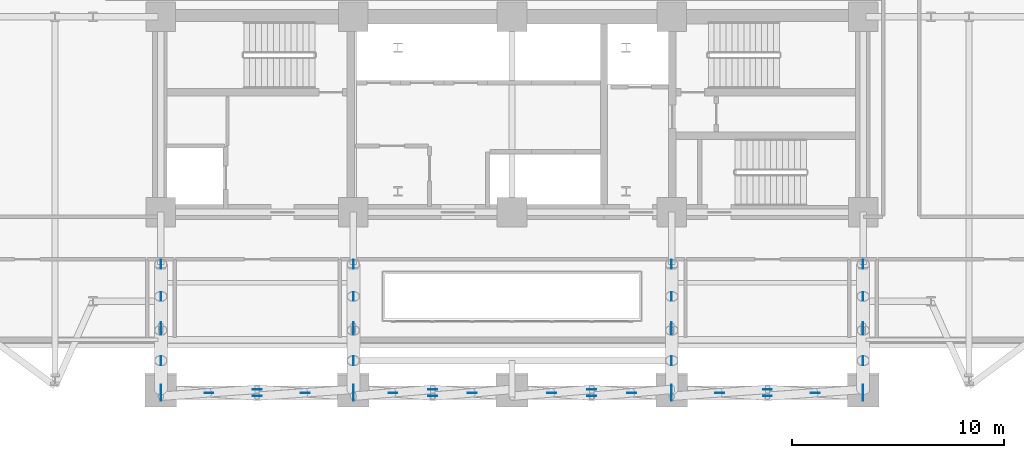
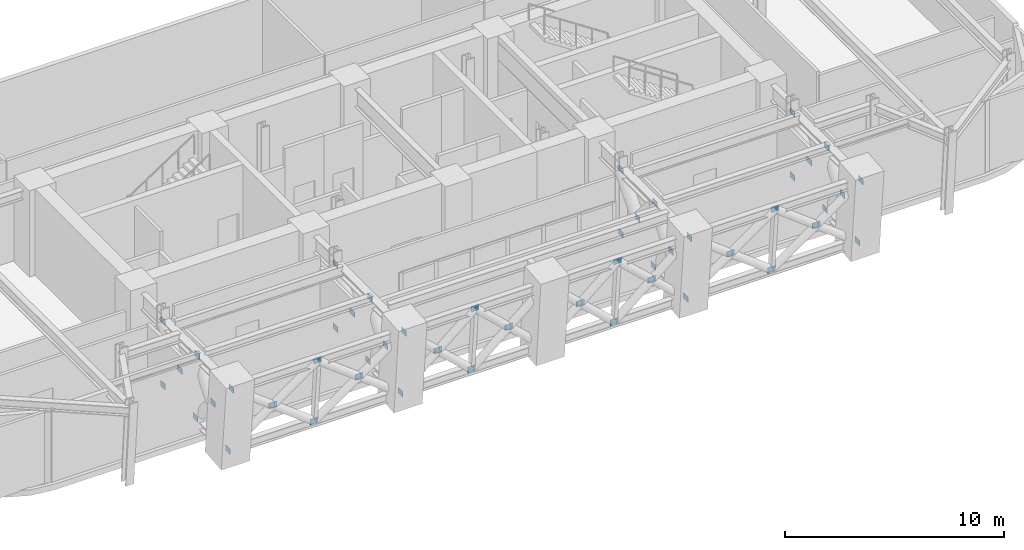
# One storey, part 7 of 12: 48 plates.
"""IFC4 building model written with IfcOpenShell, lengths in metres."""

from ifc_helpers import new_model, si_unit, direction, frame, origin, origin_2d, place, context, subcontext, project, spatial, rectangle, extrude, material, layer, layer_set, type_object, element, save


model = new_model("IFC4")

# Units and contexts
model_context = context("Model", 3, precision=1e-05, world=origin(), true_north=direction((0.0, 1.0)))
body_context = subcontext(model_context, "Body", "Model", "MODEL_VIEW")
ifc_project = project(units=[si_unit("LENGTHUNIT", "METRE"), si_unit("AREAUNIT", "SQUARE_METRE"), si_unit("VOLUMEUNIT", "CUBIC_METRE"), si_unit("PLANEANGLEUNIT", "RADIAN"), si_unit("MASSUNIT", "GRAM", prefix="KILO")], contexts=[model_context])

# Site, building, storey
site_placement = place(None, origin())
site = spatial("IfcSite", under=ifc_project, at=site_placement, CompositionType="ELEMENT")
building_placement = place(site_placement, origin())
building = spatial("IfcBuilding", under=site, at=building_placement, Name="Zarnavel Station Tower", CompositionType="ELEMENT")
storey_placement = place(building_placement, frame((0.0, 0.0, 74.5)))
storey = spatial("IfcBuildingStorey", under=building, at=storey_placement, Name="L20", CompositionType="ELEMENT", Elevation=74.5)

# Plates
ifc_material = material(Name="Steel S460M", Category="steel")
ifc_layer = layer(ifc_material, 0.02490234375)
ifc_layer_set = layer_set([ifc_layer], Name="GP_GUSSET_25")
plate_type = type_object("IfcPlateType", Name="GP_GUSSET_25", PredefinedType="USERDEFINED", material=ifc_layer_set)
for number, where, z_axis, x_axis, name in (
    (1, (12.199951171875, 19.4404296875, 0.25), (0.0, 0.0, 1.0), (1.0, 0.0, 0.0), "L20 Outrigger Gusset Plate 1-1"),
    (2, (12.199951171875, 19.1162109375, 3.830078125), (0.0, 0.0, 1.0), (1.0, 0.0, 0.0), "L20 Outrigger Gusset Plate 1-2"),
    (3, (12.199951171875, 22.395263671875, 0.25), (0.0, 0.0, 1.0), (1.0, 0.0, 0.0), "L20 Outrigger Gusset Plate 1-3"),
    (4, (12.199951171875, 22.23291015625, 3.830078125), (0.0, 0.0, 1.0), (1.0, 0.0, 0.0), "L20 Outrigger Gusset Plate 1-4"),
    (5, (12.199951171875, 25.35009765625, 0.25), (0.0, 0.0, 1.0), (1.0, 0.0, 0.0), "L20 Outrigger Gusset Plate 1-5"),
    (6, (12.199951171875, 25.35009765625, 3.830078125), (0.0, 0.0, 1.0), (1.0, 0.0, 0.0), "L20 Outrigger Gusset Plate 1-6"),
    (7, (12.199951171875, 23.83203125, 2.0400390625), (0.0, 0.0, 1.0), (1.0, 0.0, 0.0), "L20 Outrigger Gusset Plate 1-7"),
    (8, (12.199951171875, 20.796142578125, 2.0400390625), (0.0, 0.0, 1.0), (1.0, 0.0, 0.0), "L20 Outrigger Gusset Plate 1-8"),
    (9, (21.300048828125, 19.4404296875, 0.25), (0.0, 0.0, 1.0), (1.0, 0.0, 0.0), "L20 Outrigger Gusset Plate 2-1"),
    (10, (21.300048828125, 19.1162109375, 3.830078125), (0.0, 0.0, 1.0), (1.0, 0.0, 0.0), "L20 Outrigger Gusset Plate 2-2"),
    (11, (21.300048828125, 22.395263671875, 0.25), (0.0, 0.0, 1.0), (1.0, 0.0, 0.0), "L20 Outrigger Gusset Plate 2-3"),
    (12, (21.300048828125, 22.23291015625, 3.830078125), (0.0, 0.0, 1.0), (1.0, 0.0, 0.0), "L20 Outrigger Gusset Plate 2-4"),
    (13, (21.300048828125, 25.35009765625, 0.25), (0.0, 0.0, 1.0), (1.0, 0.0, 0.0), "L20 Outrigger Gusset Plate 2-5"),
    (14, (21.300048828125, 25.35009765625, 3.830078125), (0.0, 0.0, 1.0), (1.0, 0.0, 0.0), "L20 Outrigger Gusset Plate 2-6"),
    (15, (21.300048828125, 23.83203125, 2.0400390625), (0.0, 0.0, 1.0), (1.0, 0.0, 0.0), "L20 Outrigger Gusset Plate 2-7"),
    (16, (21.300048828125, 20.796142578125, 2.0400390625), (0.0, 0.0, 1.0), (1.0, 0.0, 0.0), "L20 Outrigger Gusset Plate 2-8"),
    (17, (36.35009765625, 19.4404296875, 0.25), (0.0, 0.0, 1.0), (1.0, 0.0, 0.0), "L20 Outrigger Gusset Plate 3-1"),
    (18, (36.35009765625, 19.1162109375, 3.830078125), (0.0, 0.0, 1.0), (1.0, 0.0, 0.0), "L20 Outrigger Gusset Plate 3-2"),
    (19, (36.35009765625, 22.395263671875, 0.25), (0.0, 0.0, 1.0), (1.0, 0.0, 0.0), "L20 Outrigger Gusset Plate 3-3"),
    (20, (36.35009765625, 22.23291015625, 3.830078125), (0.0, 0.0, 1.0), (1.0, 0.0, 0.0), "L20 Outrigger Gusset Plate 3-4"),
    (21, (36.35009765625, 25.35009765625, 0.25), (0.0, 0.0, 1.0), (1.0, 0.0, 0.0), "L20 Outrigger Gusset Plate 3-5"),
    (22, (36.35009765625, 25.35009765625, 3.830078125), (0.0, 0.0, 1.0), (1.0, 0.0, 0.0), "L20 Outrigger Gusset Plate 3-6"),
    (23, (36.35009765625, 23.83203125, 2.0400390625), (0.0, 0.0, 1.0), (1.0, 0.0, 0.0), "L20 Outrigger Gusset Plate 3-7"),
    (24, (36.35009765625, 20.796142578125, 2.0400390625), (0.0, 0.0, 1.0), (1.0, 0.0, 0.0), "L20 Outrigger Gusset Plate 3-8"),
    (25, (45.39990234375, 19.4404296875, 0.25), (0.0, 0.0, 1.0), (1.0, 0.0, 0.0), "L20 Outrigger Gusset Plate 4-1"),
    (26, (45.39990234375, 19.1162109375, 3.830078125), (0.0, 0.0, 1.0), (1.0, 0.0, 0.0), "L20 Outrigger Gusset Plate 4-2"),
    (27, (45.39990234375, 22.395263671875, 0.25), (0.0, 0.0, 1.0), (1.0, 0.0, 0.0), "L20 Outrigger Gusset Plate 4-3"),
    (28, (45.39990234375, 22.23291015625, 3.830078125), (0.0, 0.0, 1.0), (1.0, 0.0, 0.0), "L20 Outrigger Gusset Plate 4-4"),
    (29, (45.39990234375, 25.35009765625, 0.25), (0.0, 0.0, 1.0), (1.0, 0.0, 0.0), "L20 Outrigger Gusset Plate 4-5"),
    (30, (45.39990234375, 25.35009765625, 3.830078125), (0.0, 0.0, 1.0), (1.0, 0.0, 0.0), "L20 Outrigger Gusset Plate 4-6"),
    (31, (45.39990234375, 23.83203125, 2.0400390625), (0.0, 0.0, 1.0), (1.0, 0.0, 0.0), "L20 Outrigger Gusset Plate 4-7"),
    (32, (45.39990234375, 20.796142578125, 2.0400390625), (0.0, 0.0, 1.0), (1.0, 0.0, 0.0), "L20 Outrigger Gusset Plate 4-8"),
):
    element("IfcPlate", number, at=place(storey_placement, frame(where, z_axis=z_axis, x_axis=x_axis)), inside=storey, type_object=plate_type, Name=name, ObjectType="GUSSET_PLATE", PredefinedType="USERDEFINED", context=body_context, shape_type="SweptSolid", body=[
        extrude(rectangle(XDim=0.02490234375, YDim=0.419921875, at=origin_2d()), origin(), (0.0, 0.0, 1.0), 0.300048828125),
    ])
for number, where, z_axis, x_axis, name in (
    (33, (16.75, 19.4404296875, 0.25), (0.0, 0.0, 1.0), (1.0, 0.0, 0.0), "L20 Belt Truss Gusset Plate 1-1"),
    (34, (16.75, 19.1162109375, 3.830078125), (0.0, 0.0, 1.0), (1.0, 0.0, 0.0), "L20 Belt Truss Gusset Plate 1-2"),
    (35, (14.47509765625, 19.2783203125, 2.0400390625), (0.0, 0.0, 1.0), (1.0, 0.0, 0.0), "L20 Belt Truss Gusset Plate 1-3"),
    (36, (19.02490234375, 19.2783203125, 2.0400390625), (0.0, 0.0, 1.0), (1.0, 0.0, 0.0), "L20 Belt Truss Gusset Plate 1-4"),
    (37, (25.050048828125, 19.4404296875, 0.25), (0.0, 0.0, 1.0), (1.0, 0.0, 0.0), "L20 Belt Truss Gusset Plate 2-1"),
    (38, (25.050048828125, 19.1162109375, 3.830078125), (0.0, 0.0, 1.0), (1.0, 0.0, 0.0), "L20 Belt Truss Gusset Plate 2-2"),
    (39, (23.175048828125, 19.2783203125, 2.0400390625), (0.0, 0.0, 1.0), (1.0, 0.0, 0.0), "L20 Belt Truss Gusset Plate 2-3"),
    (40, (26.925048828125, 19.2783203125, 2.0400390625), (0.0, 0.0, 1.0), (1.0, 0.0, 0.0), "L20 Belt Truss Gusset Plate 2-4"),
    (41, (32.574951171875, 19.4404296875, 0.25), (0.0, 0.0, 1.0), (1.0, 0.0, 0.0), "L20 Belt Truss Gusset Plate 3-1"),
    (42, (32.574951171875, 19.1162109375, 3.830078125), (0.0, 0.0, 1.0), (1.0, 0.0, 0.0), "L20 Belt Truss Gusset Plate 3-2"),
    (43, (30.6875, 19.2783203125, 2.0400390625), (0.0, 0.0, 1.0), (1.0, 0.0, 0.0), "L20 Belt Truss Gusset Plate 3-3"),
    (44, (34.46240234375, 19.2783203125, 2.0400390625), (0.0, 0.0, 1.0), (1.0, 0.0, 0.0), "L20 Belt Truss Gusset Plate 3-4"),
    (45, (40.875, 19.4404296875, 0.25), (0.0, 0.0, 1.0), (1.0, 0.0, 0.0), "L20 Belt Truss Gusset Plate 4-1"),
    (46, (40.875, 19.1162109375, 3.830078125), (0.0, 0.0, 1.0), (1.0, 0.0, 0.0), "L20 Belt Truss Gusset Plate 4-2"),
    (47, (38.612548828125, 19.2783203125, 2.0400390625), (0.0, 0.0, 1.0), (1.0, 0.0, 0.0), "L20 Belt Truss Gusset Plate 4-3"),
    (48, (43.137451171875, 19.2783203125, 2.0400390625), (0.0, 0.0, 1.0), (1.0, 0.0, 0.0), "L20 Belt Truss Gusset Plate 4-4"),
):
    element("IfcPlate", number, at=place(storey_placement, frame(where, z_axis=z_axis, x_axis=x_axis)), inside=storey, type_object=plate_type, Name=name, ObjectType="GUSSET_PLATE", PredefinedType="USERDEFINED", context=body_context, shape_type="SweptSolid", body=[
        extrude(rectangle(XDim=0.419921875, YDim=0.02490234375, at=origin_2d()), origin(), (0.0, 0.0, 1.0), 0.300048828125),
    ])

save(model, "model.ifc")
